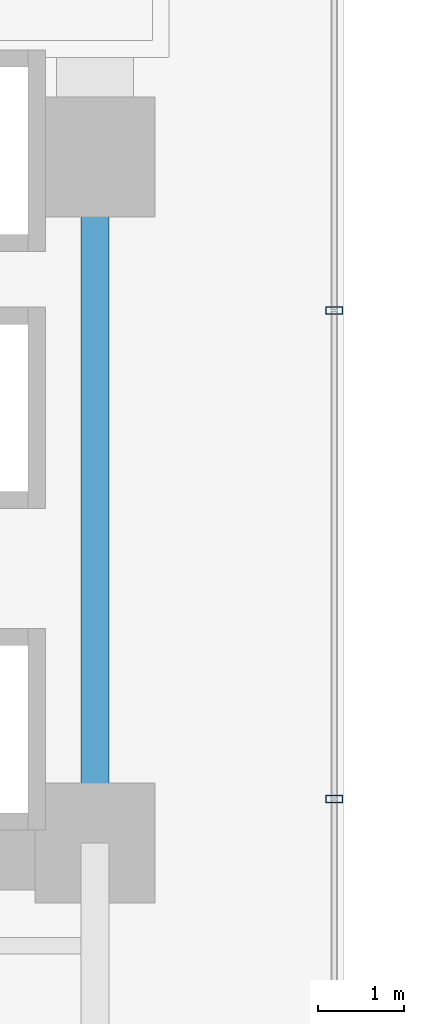
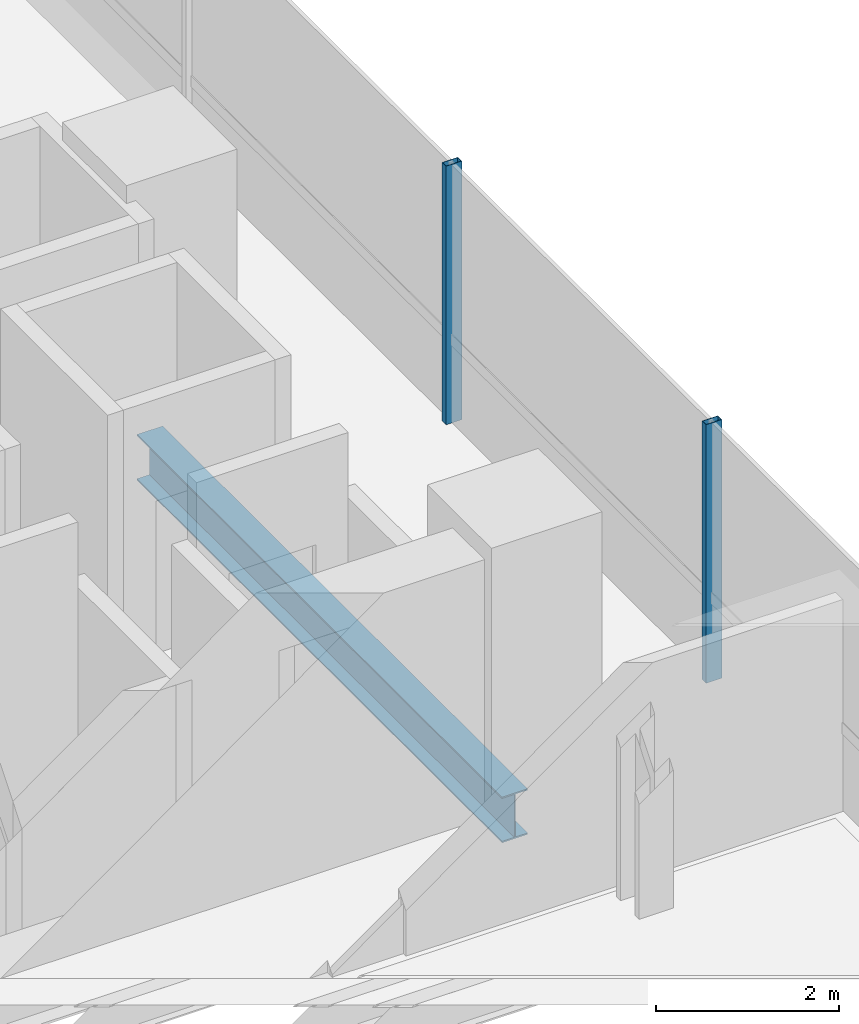
# One storey, part 6 of 38: 2 members, 1 beam, 1 element without a shape of its own.
"""IFC4 building model written with IfcOpenShell, lengths in metres."""

from ifc_helpers import new_model, si_unit, direction, frame, origin, origin_2d, place, context, subcontext, project, spatial, hollow_rectangle, i_section, extrude, source, transform, mapped, material, material_profile, profile_set, type_object, element, aggregate, save


model = new_model("IFC4")

# Units and contexts
model_context = context("Model", 3, precision=1e-05, world=origin(), true_north=direction((0.0, 1.0)))
body_context = subcontext(model_context, "Body", "Model", "MODEL_VIEW")
ifc_project = project(units=[si_unit("LENGTHUNIT", "METRE"), si_unit("AREAUNIT", "SQUARE_METRE"), si_unit("VOLUMEUNIT", "CUBIC_METRE"), si_unit("PLANEANGLEUNIT", "RADIAN"), si_unit("MASSUNIT", "GRAM", prefix="KILO")], contexts=[model_context])

# Site, building, storey
site_placement = place(None, origin())
site = spatial("IfcSite", under=ifc_project, at=site_placement, CompositionType="ELEMENT")
building_placement = place(site_placement, origin())
building = spatial("IfcBuilding", under=site, at=building_placement, Name="Valdorenza Pilgrim Sanctuary Tower", CompositionType="ELEMENT")
storey_placement = place(building_placement, frame((0.0, 0.0, 37.10009765625)))
storey = spatial("IfcBuildingStorey", under=building, at=storey_placement, Name="L08", CompositionType="ELEMENT", Elevation=37.10009765625)

# Beam
ifc_material_1 = material(Name="Steel ASTM A992 Grade 50", Category="steel")
ifc_material_profile_1 = material_profile(ifc_material_1, i_section(OverallWidth=0.323974609375, OverallDepth=0.611083984375, WebThickness=0.0126953125, FlangeThickness=0.01904296875, at=origin_2d()), Name="W24X104")
ifc_profile_set_1 = profile_set([ifc_material_profile_1], Name="Steel ASTM A992 Grade 50")
beam_type = type_object("IfcBeamType", Name="STR-BM-GRD-W24B", PredefinedType="BEAM", material=ifc_profile_set_1)
shared_shape_1 = source(origin(), body_context, "Body", "SweptSolid", [
    extrude(i_section(OverallWidth=0.323974609375, OverallDepth=0.611083984375, WebThickness=0.0126953125, FlangeThickness=0.01904296875, at=origin_2d()), origin(), (0.0, 0.0, 1.0), 8.0),
])
beam_placement = place(storey_placement, frame((-12.39990234375, -10.60009765625, -0.545654296875), z_axis=(0.0, 1.0, 0.0), x_axis=(-1.0, 0.0, 0.0)))
element("IfcBeam", 1, at=beam_placement, inside=storey, type_object=beam_type, Name="L08 Core Tie Girder CA-E-S1M0", PredefinedType="BEAM", context=body_context, shape_type="MappedRepresentation", body=[
    mapped(shared_shape_1, transform((0.0, 0.0, 0.0), x_axis=(1.0, 0.0, 0.0), y_axis=(0.0, 1.0, 0.0), z_axis=(0.0, 0.0, 1.0), scale=1.0)),
])

# Curtain wall, members
ifc_material_2 = material(Name="Curtain-wall IGU glazing", Category="glass")
curtain_wall_type = type_object("IfcCurtainWallType", Name="CW-SYS-02", PredefinedType="NOTDEFINED", material=ifc_material_2)
curtain_wall_placement = place(storey_placement, origin())
curtain_wall = element("IfcCurtainWall", 2, at=curtain_wall_placement, inside=storey, type_object=curtain_wall_type, Name="L08 Curtain Wall CW-L08-1-41", PredefinedType="NOTDEFINED")
ifc_material_3 = material(Name="Anodised aluminium AW-6060", Category="aluminium")
ifc_material_profile_2 = material_profile(ifc_material_3, hollow_rectangle(XDim=0.0849609375, YDim=0.199951171875, WallThickness=0.0048828125, at=origin_2d()), Name="ALU-M 200x85x5")
ifc_profile_set_2 = profile_set([ifc_material_profile_2], Name="Anodised aluminium AW-6060")
member_type = type_object("IfcMemberType", Name="CW-MUL-02", PredefinedType="MULLION", material=ifc_profile_set_2)
shared_shape_2 = source(origin(), body_context, "Body", "SweptSolid", [
    extrude(hollow_rectangle(XDim=0.0849609375, YDim=0.199951171875, WallThickness=0.0048828125, at=origin_2d()), origin(), (0.0, 0.0, 1.0), 3.4599609375),
])
member_1_placement = place(storey_placement, frame((-9.610107421875, -4.38916015625, 0.0), z_axis=(0.0, 0.0, 1.0), x_axis=(0.0, -1.0, 0.0)))
member_1 = element("IfcMember", 3, at=member_1_placement, type_object=member_type, Name="CW-L08-1-41 Mullion 3", PredefinedType="MULLION", context=body_context, shape_type="MappedRepresentation", body=[
    mapped(shared_shape_2, transform((0.0, 0.0, 0.0), x_axis=(1.0, 0.0, 0.0), y_axis=(0.0, 1.0, 0.0), z_axis=(0.0, 0.0, 1.0), scale=1.0)),
])
member_2_placement = place(storey_placement, frame((-9.610107421875, -10.089111328125, 0.0), z_axis=(0.0, 0.0, 1.0), x_axis=(0.0, -1.0, 0.0)))
member_2 = element("IfcMember", 4, at=member_2_placement, type_object=member_type, Name="CW-L08-1-41 Mullion 4", PredefinedType="MULLION", context=body_context, shape_type="MappedRepresentation", body=[
    mapped(shared_shape_2, transform((0.0, 0.0, 0.0), x_axis=(1.0, 0.0, 0.0), y_axis=(0.0, 1.0, 0.0), z_axis=(0.0, 0.0, 1.0), scale=1.0)),
])
aggregate(curtain_wall, [member_1, member_2])

save(model, "model.ifc")
